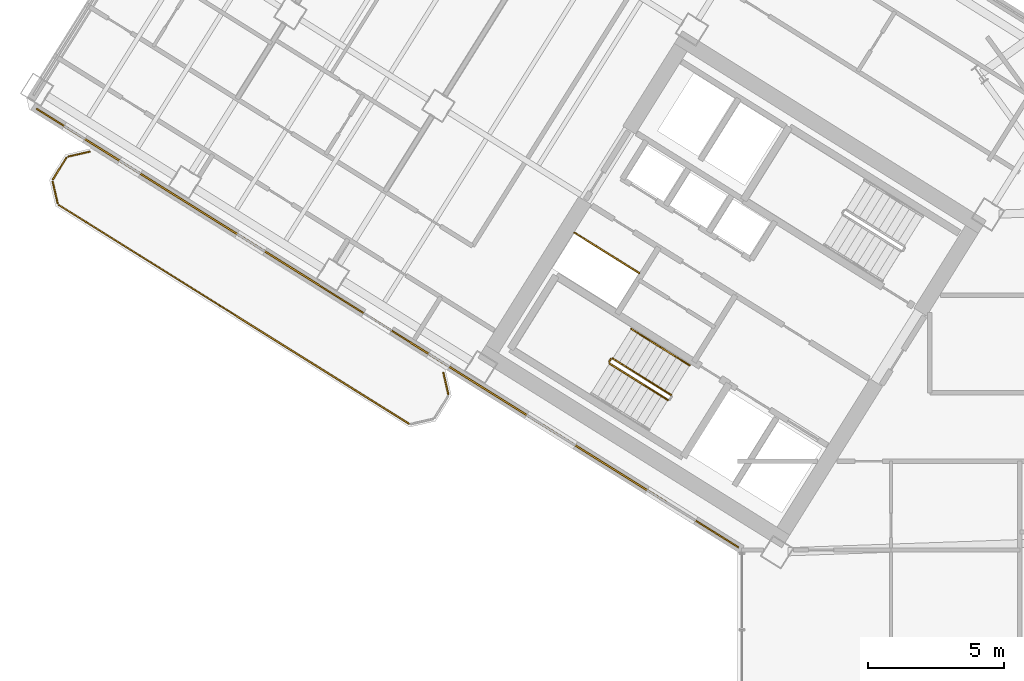
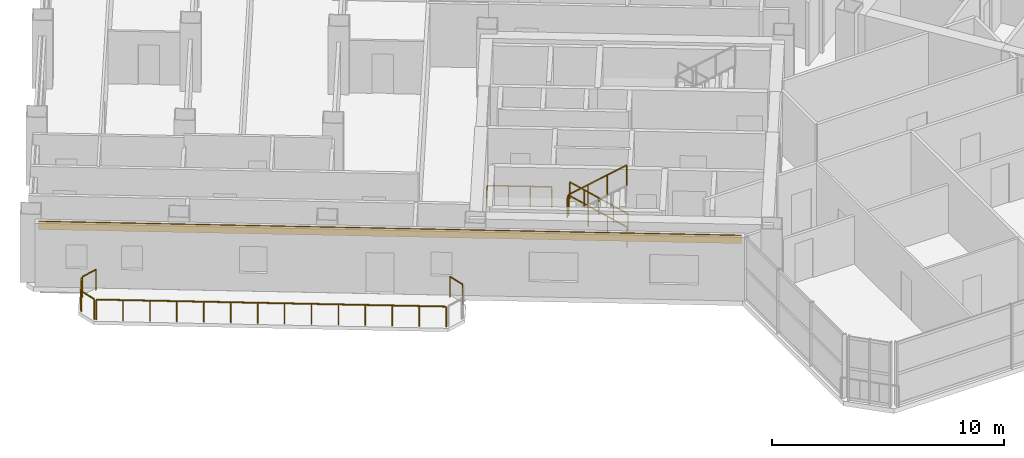
# One storey, part 18 of 21: 11 railings, 1 covering.
"""IFC4 building model written with IfcOpenShell, lengths in metres."""

from ifc_helpers import new_model, si_unit, direction, frame, origin, origin_2d, place, context, subcontext, project, spatial, rectangle, extrude, source, transform, mapped, material, layer, layer_set, type_object, element, save


model = new_model("IFC4")

# Units and contexts
model_context = context("Model", 3, precision=1e-05, world=origin(), true_north=direction((0.0, 1.0)))
body_context = subcontext(model_context, "Body", "Model", "MODEL_VIEW")
ifc_project = project(units=[si_unit("LENGTHUNIT", "METRE"), si_unit("AREAUNIT", "SQUARE_METRE"), si_unit("VOLUMEUNIT", "CUBIC_METRE"), si_unit("PLANEANGLEUNIT", "RADIAN"), si_unit("MASSUNIT", "GRAM", prefix="KILO")], contexts=[model_context])

# Site, building, storey
site_placement = place(None, origin())
site = spatial("IfcSite", under=ifc_project, at=site_placement, CompositionType="ELEMENT")
building_placement = place(site_placement, origin())
building = spatial("IfcBuilding", under=site, at=building_placement, Name="Tlacorven Tower", CompositionType="ELEMENT")
storey_placement = place(building_placement, frame((0.0, 0.0, 105.300048828125)))
storey = spatial("IfcBuildingStorey", under=building, at=storey_placement, Name="L26", CompositionType="ELEMENT", Elevation=105.300048828125)

# Railings
ifc_material_1 = material(Name="Aluminium and painted steel balustrade", Category="steel")
railing_type_1 = type_object("IfcRailingType", Name="RL-GRD-1100", PredefinedType="GUARDRAIL", material=ifc_material_1)
shared_shape_1 = source(origin(), body_context, "Body", "SweptSolid", [
    extrude(rectangle(XDim=0.048095703125, YDim=0.048095703125, at=origin_2d()), frame((0.0, 0.0, 1.076171875), z_axis=(-0.848091358275, 0.529850024081, 0.0), x_axis=(-0.529850024081, -0.848091358275, 0.0)), (0.0, 0.0, 1.0), 2.800048828125),
    extrude(rectangle(XDim=0.0419921875, YDim=0.0419921875, at=origin_2d()), origin(), (0.0, 0.0, 1.0), 1.052001953125),
    extrude(rectangle(XDim=0.0419921875, YDim=0.0419921875, at=origin_2d()), frame((-0.79150390625, 0.49462890625, 0.0)), (0.0, 0.0, 1.0), 1.052001953125),
    extrude(rectangle(XDim=0.0419921875, YDim=0.0419921875, at=origin_2d()), frame((-1.583251953125, 0.989013671875, 0.0)), (0.0, 0.0, 1.0), 1.052001953125),
    extrude(rectangle(XDim=0.0419921875, YDim=0.0419921875, at=origin_2d()), frame((-2.374755859375, 1.483642578125, 0.0)), (0.0, 0.0, 1.0), 1.052001953125),
])
railing_1_placement = place(storey_placement, frame((27.9912109375, 22.32080078125, 0.0)))
element("IfcRailing", 1, at=railing_1_placement, inside=storey, type_object=railing_type_1, Name="L26 Electrical Riser W Shaft Guard 1", PredefinedType="GUARDRAIL", context=body_context, shape_type="MappedRepresentation", body=[
    mapped(shared_shape_1, transform((0.0, 0.0, 0.0), scale=1.0)),
])
railing_type_2 = type_object("IfcRailingType", Name="RL-BAL-1100", PredefinedType="BALUSTRADE", material=ifc_material_1)
shared_shape_2 = source(origin(), body_context, "Body", "SweptSolid", [
    extrude(rectangle(XDim=0.048095703125, YDim=0.048095703125, at=origin_2d()), frame((0.0, 0.0, 1.076171875), z_axis=(0.225058334816, -0.974345290916, 0.0), x_axis=(0.974345290916, 0.225058334816, 0.0)), (0.0, 0.0, 1.0), 0.80712890625),
    extrude(rectangle(XDim=0.0419921875, YDim=0.0419921875, at=origin_2d()), origin(), (0.0, 0.0, 1.0), 1.052001953125),
    extrude(rectangle(XDim=0.0419921875, YDim=0.0419921875, at=origin_2d()), frame((0.181640625, -0.786376953125, 0.0)), (0.0, 0.0, 1.0), 1.052001953125),
])
railing_2_placement = place(storey_placement, frame((20.809814453125, 18.671142578125, 0.0)))
element("IfcRailing", 2, at=railing_2_placement, inside=storey, type_object=railing_type_2, Name="BAL-L26-W-OUT Guard Railing 1", PredefinedType="BALUSTRADE", context=body_context, shape_type="MappedRepresentation", body=[
    mapped(shared_shape_2, transform((0.0, 0.0, 0.0), scale=1.0)),
])
shared_shape_3 = source(origin(), body_context, "Body", "SweptSolid", [
    extrude(rectangle(XDim=0.048095703125, YDim=0.048095703125, at=origin_2d()), frame((0.0, 0.0, 1.076171875), z_axis=(-0.225058334816, 0.974345290916, 0.0), x_axis=(-0.974345290916, -0.225058334816, 0.0)), (0.0, 0.0, 1.0), 0.80712890625),
    extrude(rectangle(XDim=0.0419921875, YDim=0.0419921875, at=origin_2d()), origin(), (0.0, 0.0, 1.0), 1.052001953125),
    extrude(rectangle(XDim=0.0419921875, YDim=0.0419921875, at=origin_2d()), frame((-0.181640625, 0.786376953125, 0.0)), (0.0, 0.0, 1.0), 1.052001953125),
])
railing_3_placement = place(storey_placement, frame((6.66650390625, 24.88623046875, 0.0)))
element("IfcRailing", 3, at=railing_3_placement, inside=storey, type_object=railing_type_2, Name="BAL-L26-W-OUT Guard Railing 5", PredefinedType="BALUSTRADE", context=body_context, shape_type="MappedRepresentation", body=[
    mapped(shared_shape_3, transform((0.0, 0.0, 0.0), scale=1.0)),
])
shared_shape_4 = source(origin(), body_context, "Body", "SweptSolid", [
    extrude(rectangle(XDim=0.048095703125, YDim=0.048095703125, at=origin_2d()), frame((0.0, 0.0, 1.076171875), z_axis=(0.974411586182, 0.224771129628, 0.0), x_axis=(-0.224771129628, 0.974411586182, 0.0)), (0.0, 0.0, 1.0), 0.80712890625),
    extrude(rectangle(XDim=0.0419921875, YDim=0.0419921875, at=origin_2d()), origin(), (0.0, 0.0, 1.0), 1.052001953125),
    extrude(rectangle(XDim=0.0419921875, YDim=0.0419921875, at=origin_2d()), frame((0.786376953125, 0.181396484375, 0.0)), (0.0, 0.0, 1.0), 1.052001953125),
])
railing_4_placement = place(storey_placement, frame((7.05859375, 26.591064453125, 0.0)))
element("IfcRailing", 4, at=railing_4_placement, inside=storey, type_object=railing_type_2, Name="BAL-L26-W-OUT Guard Railing 7", PredefinedType="BALUSTRADE", context=body_context, shape_type="MappedRepresentation", body=[
    mapped(shared_shape_4, transform((0.0, 0.0, 0.0), scale=1.0)),
])
shared_shape_5 = source(origin(), body_context, "Body", "SweptSolid", [
    extrude(rectangle(XDim=0.048095703125, YDim=0.048095703125, at=origin_2d()), frame((0.0, 0.0, 1.076171875), z_axis=(0.529998940003, 0.847998304005, 0.0), x_axis=(-0.847998304005, 0.529998940003, 0.0)), (0.0, 0.0, 1.0), 0.912109375),
    extrude(rectangle(XDim=0.0419921875, YDim=0.0419921875, at=origin_2d()), origin(), (0.0, 0.0, 1.0), 1.052001953125),
    extrude(rectangle(XDim=0.0419921875, YDim=0.0419921875, at=origin_2d()), frame((0.4833984375, 0.7734375, 0.0)), (0.0, 0.0, 1.0), 1.052001953125),
])
railing_5_placement = place(storey_placement, frame((6.5, 25.763916015625, 0.0)))
element("IfcRailing", 5, at=railing_5_placement, inside=storey, type_object=railing_type_2, Name="BAL-L26-W-OUT Guard Railing 6", PredefinedType="BALUSTRADE", context=body_context, shape_type="MappedRepresentation", body=[
    mapped(shared_shape_5, transform((0.0, 0.0, 0.0), scale=1.0)),
])

# Covering
ifc_material_2 = material(Name="Precast concrete C45/55", Category="concrete")
ifc_layer = layer(ifc_material_2, 0.06005859375)
ifc_layer_set = layer_set([ifc_layer], Name="Precast concrete C45/55")
covering_type = type_object("IfcCoveringType", Name="CV-CLD-TERC", PredefinedType="CLADDING", material=ifc_layer_set)
shared_shape_6 = source(origin(), body_context, "Body", "SweptSolid", [
    extrude(rectangle(XDim=30.35205078125, YDim=0.06005859375, at=origin_2d()), origin(), (0.0, 0.0, 1.0), 0.419921875),
])
covering_placement = place(storey_placement, frame((18.7626953125, 20.3046875, 2.929931640625), z_axis=(0.0, 0.0, 1.0), x_axis=(-0.848048152806, 0.529919173576, 0.0)))
element("IfcCovering", 6, at=covering_placement, inside=storey, type_object=covering_type, Name="L26 Masonry-Frame Spandrel Cladding 1", PredefinedType="CLADDING", context=body_context, shape_type="MappedRepresentation", body=[
    mapped(shared_shape_6, transform((0.0, 0.0, 0.0), scale=1.0)),
])

# Railings
shared_shape_7 = source(origin(), body_context, "Body", "SweptSolid", [
    extrude(rectangle(XDim=0.048095703125, YDim=0.048095703125, at=origin_2d()), frame((0.0, 0.0, 1.076171875), z_axis=(-0.848051830527, 0.529913287944, 0.0), x_axis=(-0.529913287944, -0.848051830527, 0.0)), (0.0, 0.0, 1.0), 15.1171875),
    extrude(rectangle(XDim=0.0419921875, YDim=0.0419921875, at=origin_2d()), origin(), (0.0, 0.0, 1.0), 1.052001953125),
    extrude(rectangle(XDim=0.0419921875, YDim=0.0419921875, at=origin_2d()), frame((-0.986083984375, 0.6162109375, 0.0)), (0.0, 0.0, 1.0), 1.052001953125),
    extrude(rectangle(XDim=0.0419921875, YDim=0.0419921875, at=origin_2d()), frame((-1.972412109375, 1.232421875, 0.0)), (0.0, 0.0, 1.0), 1.052001953125),
    extrude(rectangle(XDim=0.0419921875, YDim=0.0419921875, at=origin_2d()), frame((-2.95849609375, 1.8486328125, 0.0)), (0.0, 0.0, 1.0), 1.052001953125),
    extrude(rectangle(XDim=0.0419921875, YDim=0.0419921875, at=origin_2d()), frame((-3.944580078125, 2.46484375, 0.0)), (0.0, 0.0, 1.0), 1.052001953125),
    extrude(rectangle(XDim=0.0419921875, YDim=0.0419921875, at=origin_2d()), frame((-4.930908203125, 3.0810546875, 0.0)), (0.0, 0.0, 1.0), 1.052001953125),
    extrude(rectangle(XDim=0.0419921875, YDim=0.0419921875, at=origin_2d()), frame((-5.9169921875, 3.697265625, 0.0)), (0.0, 0.0, 1.0), 1.052001953125),
    extrude(rectangle(XDim=0.0419921875, YDim=0.0419921875, at=origin_2d()), frame((-6.903076171875, 4.3134765625, 0.0)), (0.0, 0.0, 1.0), 1.052001953125),
    extrude(rectangle(XDim=0.0419921875, YDim=0.0419921875, at=origin_2d()), frame((-7.88916015625, 4.9296875, 0.0)), (0.0, 0.0, 1.0), 1.052001953125),
    extrude(rectangle(XDim=0.0419921875, YDim=0.0419921875, at=origin_2d()), frame((-8.87548828125, 5.5458984375, 0.0)), (0.0, 0.0, 1.0), 1.052001953125),
    extrude(rectangle(XDim=0.0419921875, YDim=0.0419921875, at=origin_2d()), frame((-9.861572265625, 6.162109375, 0.0)), (0.0, 0.0, 1.0), 1.052001953125),
    extrude(rectangle(XDim=0.0419921875, YDim=0.0419921875, at=origin_2d()), frame((-10.84765625, 6.7783203125, 0.0)), (0.0, 0.0, 1.0), 1.052001953125),
    extrude(rectangle(XDim=0.0419921875, YDim=0.0419921875, at=origin_2d()), frame((-11.833984375, 7.39453125, 0.0)), (0.0, 0.0, 1.0), 1.052001953125),
    extrude(rectangle(XDim=0.0419921875, YDim=0.0419921875, at=origin_2d()), frame((-12.820068359375, 8.0107421875, 0.0)), (0.0, 0.0, 1.0), 1.052001953125),
])
railing_6_placement = place(storey_placement, frame((19.5400390625, 16.80029296875, 0.0)))
element("IfcRailing", 7, at=railing_6_placement, inside=storey, type_object=railing_type_2, Name="BAL-L26-W-OUT Guard Railing 4", PredefinedType="BALUSTRADE", context=body_context, shape_type="MappedRepresentation", body=[
    mapped(shared_shape_7, transform((0.0, 0.0, 0.0), scale=1.0)),
])
shared_shape_8 = source(origin(), body_context, "Body", "SweptSolid", [
    extrude(rectangle(XDim=0.048095703125, YDim=0.048095703125, at=origin_2d()), frame((0.0, 0.0, 1.076171875), z_axis=(-0.713319727316, 0.445773895627, 0.540796265334), x_axis=(-0.529955395941, -0.84802551749, 0.0)), (0.0, 0.0, 1.0), 2.995849609375),
    extrude(rectangle(XDim=0.0419921875, YDim=0.0419921875, at=origin_2d()), origin(), (0.0, 0.0, 1.0), 1.052001953125),
    extrude(rectangle(XDim=0.0419921875, YDim=0.0419921875, at=origin_2d()), frame((-0.71240234375, 0.445068359375, 0.5400390625)), (0.0, 0.0, 1.0), 1.052001953125),
    extrude(rectangle(XDim=0.0419921875, YDim=0.0419921875, at=origin_2d()), frame((-1.424560546875, 0.890380859375, 1.080078125)), (0.0, 0.0, 1.0), 1.052001953125),
    extrude(rectangle(XDim=0.0419921875, YDim=0.0419921875, at=origin_2d()), frame((-2.136962890625, 1.33544921875, 1.6201171875)), (0.0, 0.0, 1.0), 1.052001953125),
])
railing_7_placement = place(storey_placement, frame((29.16064453125, 17.851806640625, 0.179931640625)))
element("IfcRailing", 8, at=railing_7_placement, inside=storey, type_object=railing_type_1, Name="L26 ST-W1 stair guard 1", PredefinedType="GUARDRAIL", context=body_context, shape_type="MappedRepresentation", body=[
    mapped(shared_shape_8, transform((0.0, 0.0, 0.0), scale=1.0)),
])
shared_shape_9 = source(origin(), body_context, "Body", "SweptSolid", [
    extrude(rectangle(XDim=0.048095703125, YDim=0.048095703125, at=origin_2d()), frame((0.0, 0.0, 1.076171875), z_axis=(-0.530546985787, -0.847655529016, 0.0), x_axis=(0.847655529016, -0.530546985787, 0.0)), (0.0, 0.0, 1.0), 0.1201171875),
    extrude(rectangle(XDim=0.0419921875, YDim=0.0419921875, at=origin_2d()), origin(), (0.0, 0.0, 1.0), 1.052001953125),
    extrude(rectangle(XDim=0.0419921875, YDim=0.0419921875, at=origin_2d()), frame((-0.063720703125, -0.101806640625, 0.0)), (0.0, 0.0, 1.0), 1.052001953125),
])
railing_8_placement = place(storey_placement, frame((26.954833984375, 19.17138671875, 1.800048828125)))
element("IfcRailing", 9, at=railing_8_placement, inside=storey, type_object=railing_type_1, Name="L26 ST-W1 stair guard 2", PredefinedType="GUARDRAIL", context=body_context, shape_type="MappedRepresentation", body=[
    mapped(shared_shape_9, transform((0.0, 0.0, 0.0), scale=1.0)),
])
railing_type_3 = type_object("IfcRailingType", Name="RL-HND-0900", PredefinedType="HANDRAIL", material=ifc_material_1)
shared_shape_10 = source(origin(), body_context, "Body", "SweptSolid", [
    extrude(rectangle(XDim=0.048095703125, YDim=0.048095703125, at=origin_2d()), frame((0.0, 0.0, 0.8759765625), z_axis=(-0.713359751793, 0.4457479829, 0.540764828981), x_axis=(-0.529911857636, -0.848052724267, 0.0)), (0.0, 0.0, 1.0), 1.498046875),
    extrude(rectangle(XDim=0.0419921875, YDim=0.0419921875, at=origin_2d()), origin(), (0.0, 0.0, 1.0), 0.851806640625),
    extrude(rectangle(XDim=0.0419921875, YDim=0.0419921875, at=origin_2d()), frame((-0.5341796875, 0.333984375, 0.405029296875)), (0.0, 0.0, 1.0), 0.851806640625),
    extrude(rectangle(XDim=0.0419921875, YDim=0.0419921875, at=origin_2d()), frame((-1.068603515625, 0.667724609375, 0.81005859375)), (0.0, 0.0, 1.0), 0.851806640625),
])
for number, where, name in (
    (10, (29.839111328125, 18.937255859375, 0.179931640625), "L26 ST-W1 stair handrail 1"),
    (11, (28.7705078125, 19.60498046875, 0.989990234375), "L26 ST-W1 stair handrail 2"),
):
    element("IfcRailing", number, at=place(storey_placement, frame(where)), inside=storey, type_object=railing_type_3, Name=name, PredefinedType="HANDRAIL", context=body_context, shape_type="MappedRepresentation", body=[
        mapped(shared_shape_10, transform((0.0, 0.0, 0.0), scale=1.0)),
    ])
shared_shape_11 = source(origin(), body_context, "Body", "SweptSolid", [
    extrude(rectangle(XDim=0.048095703125, YDim=0.048095703125, at=origin_2d()), frame((0.0, 0.0, 1.076171875), z_axis=(0.71339118691, -0.44576762536, 0.540707165313), x_axis=(0.529911857636, 0.848052724267, 0.0)), (0.0, 0.0, 1.0), 2.995849609375),
    extrude(rectangle(XDim=0.0419921875, YDim=0.0419921875, at=origin_2d()), origin(), (0.0, 0.0, 1.0), 1.052001953125),
    extrude(rectangle(XDim=0.0419921875, YDim=0.0419921875, at=origin_2d()), frame((0.71240234375, -0.445068359375, 0.5400390625)), (0.0, 0.0, 1.0), 1.052001953125),
    extrude(rectangle(XDim=0.0419921875, YDim=0.0419921875, at=origin_2d()), frame((1.4248046875, -0.890380859375, 1.079833984375)), (0.0, 0.0, 1.0), 1.052001953125),
    extrude(rectangle(XDim=0.0419921875, YDim=0.0419921875, at=origin_2d()), frame((2.13720703125, -1.33544921875, 1.619873046875)), (0.0, 0.0, 1.0), 1.052001953125),
])
railing_9_placement = place(storey_placement, frame((26.906982421875, 19.000732421875, 1.97998046875)))
element("IfcRailing", 12, at=railing_9_placement, inside=storey, type_object=railing_type_1, Name="L26 ST-W1 stair guard 3", PredefinedType="GUARDRAIL", context=body_context, shape_type="MappedRepresentation", body=[
    mapped(shared_shape_11, transform((0.0, 0.0, 0.0), scale=1.0)),
])

save(model, "model.ifc")
